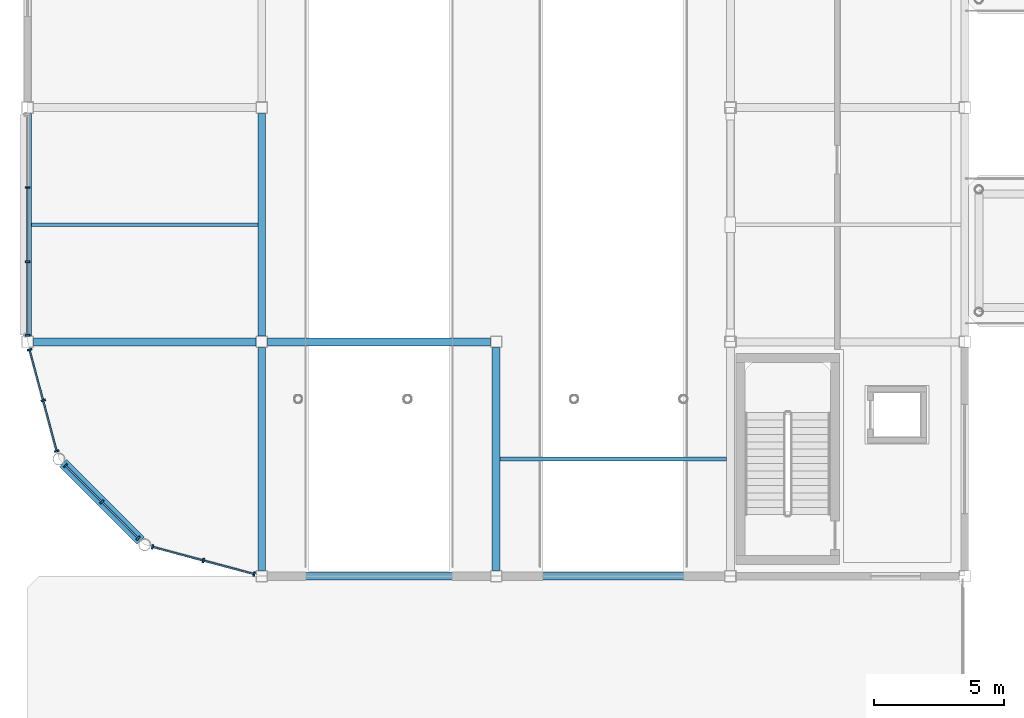
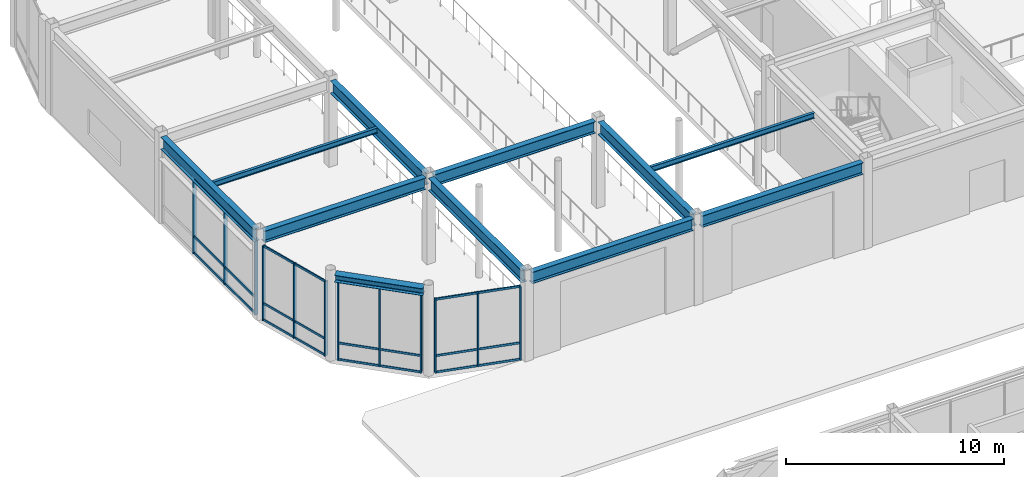
# One storey, part 38 of 123: 36 members, 11 beams, 4 elements without a shape of their own.
"""IFC4 building model written with IfcOpenShell, lengths in metres."""

from ifc_helpers import new_model, si_unit, direction, frame, origin, origin_2d, place, context, subcontext, project, spatial, rectangle, i_section, extrude, material, material_profile, profile_set, type_object, element, aggregate, save


model = new_model("IFC4")

# Units and contexts
model_context = context("Model", 3, precision=1e-05, world=origin(), true_north=direction((0.0, 1.0)))
body_context = subcontext(model_context, "Body", "Model", "MODEL_VIEW")
ifc_project = project(units=[si_unit("LENGTHUNIT", "METRE"), si_unit("AREAUNIT", "SQUARE_METRE"), si_unit("VOLUMEUNIT", "CUBIC_METRE"), si_unit("PLANEANGLEUNIT", "RADIAN"), si_unit("MASSUNIT", "GRAM", prefix="KILO")], contexts=[model_context])

# Site, building, storey
site_placement = place(None, origin())
site = spatial("IfcSite", under=ifc_project, at=site_placement, CompositionType="ELEMENT")
building_placement = place(site_placement, origin())
building = spatial("IfcBuilding", under=site, at=building_placement, Name="Suzunagisa Mobility Hub", CompositionType="ELEMENT")
storey_placement = place(building_placement, origin())
storey = spatial("IfcBuildingStorey", under=building, at=storey_placement, Name="L00", CompositionType="ELEMENT", Elevation=0.0)

# Curtain wall, members
ifc_material_1 = material(Name="Thermally Broken Anodized Aluminum and Low-E Glazing", Category="aluminium")
curtain_wall_type_1 = type_object("IfcCurtainWallType", Name="Unitised Curtain Wall CW-09 8500x4100", PredefinedType="USERDEFINED", material=ifc_material_1)
curtain_wall_1_placement = place(storey_placement, origin())
curtain_wall_1 = element("IfcCurtainWall", 1, at=curtain_wall_1_placement, inside=storey, type_object=curtain_wall_type_1, Name="L00 Unitised Curtain Wall CW-51", ObjectType="UNITISED CURTAIN WALL", PredefinedType="USERDEFINED")
ifc_material_2 = material(Name="Anodized Aluminum 6063-T6", Category="aluminium")
ifc_material_profile_1 = material_profile(ifc_material_2, rectangle(XDim=0.06494140625, YDim=0.139892578125, at=origin_2d()), Name="TRAN-65x140")
ifc_profile_set_1 = profile_set([ifc_material_profile_1], Name="Anodized Aluminum 6063-T6")
member_type_1 = type_object("IfcMemberType", Name="Curtain Wall Framing CM-01 TRAN-65x140", PredefinedType="USERDEFINED", material=ifc_profile_set_1)
member_1_placement = place(storey_placement, frame((0.0, 94.89453125, 0.032470703125), z_axis=(0.0, -1.0, 0.0), x_axis=(1.0, 0.0, 0.0)))
member_1 = element("IfcMember", 2, at=member_1_placement, type_object=member_type_1, Name="Curtain Wall Transom 51-T2.1", ObjectType="TRANSOM", PredefinedType="USERDEFINED", context=body_context, shape_type="SweptSolid", body=[
    extrude(rectangle(XDim=0.06494140625, YDim=0.139892578125, at=origin_2d()), origin(), (0.0, 0.0, 1.0), 2.7890625),
])
member_2_placement = place(storey_placement, frame((0.0, 94.89453125, 0.949951171875), z_axis=(0.0, -1.0, 0.0), x_axis=(1.0, 0.0, 0.0)))
member_2 = element("IfcMember", 3, at=member_2_placement, type_object=member_type_1, Name="Curtain Wall Transom 51-T2.2", ObjectType="TRANSOM", PredefinedType="USERDEFINED", context=body_context, shape_type="SweptSolid", body=[
    extrude(rectangle(XDim=0.06494140625, YDim=0.139892578125, at=origin_2d()), origin(), (0.0, 0.0, 1.0), 2.7890625),
])
member_3_placement = place(storey_placement, frame((0.0, 94.89453125, 4.107421875), z_axis=(0.0, -1.0, 0.0), x_axis=(1.0, 0.0, 0.0)))
member_3 = element("IfcMember", 4, at=member_3_placement, type_object=member_type_1, Name="Curtain Wall Transom 51-T2.3", ObjectType="TRANSOM", PredefinedType="USERDEFINED", context=body_context, shape_type="SweptSolid", body=[
    extrude(rectangle(XDim=0.06494140625, YDim=0.139892578125, at=origin_2d()), origin(), (0.0, 0.0, 1.0), 2.7890625),
])
member_4_placement = place(storey_placement, frame((0.0, 92.04443359375, 0.032470703125), z_axis=(0.0, -1.0, 0.0), x_axis=(1.0, 0.0, 0.0)))
member_4 = element("IfcMember", 5, at=member_4_placement, type_object=member_type_1, Name="Curtain Wall Transom 51-T3.1", ObjectType="TRANSOM", PredefinedType="USERDEFINED", context=body_context, shape_type="SweptSolid", body=[
    extrude(rectangle(XDim=0.06494140625, YDim=0.139892578125, at=origin_2d()), origin(), (0.0, 0.0, 1.0), 2.75634765625),
])
member_5_placement = place(storey_placement, frame((0.0, 92.04443359375, 0.949951171875), z_axis=(0.0, -1.0, 0.0), x_axis=(1.0, 0.0, 0.0)))
member_5 = element("IfcMember", 6, at=member_5_placement, type_object=member_type_1, Name="Curtain Wall Transom 51-T3.2", ObjectType="TRANSOM", PredefinedType="USERDEFINED", context=body_context, shape_type="SweptSolid", body=[
    extrude(rectangle(XDim=0.06494140625, YDim=0.139892578125, at=origin_2d()), origin(), (0.0, 0.0, 1.0), 2.75634765625),
])
member_6_placement = place(storey_placement, frame((0.0, 92.04443359375, 4.107421875), z_axis=(0.0, -1.0, 0.0), x_axis=(1.0, 0.0, 0.0)))
member_6 = element("IfcMember", 7, at=member_6_placement, type_object=member_type_1, Name="Curtain Wall Transom 51-T3.3", ObjectType="TRANSOM", PredefinedType="USERDEFINED", context=body_context, shape_type="SweptSolid", body=[
    extrude(rectangle(XDim=0.06494140625, YDim=0.139892578125, at=origin_2d()), origin(), (0.0, 0.0, 1.0), 2.75634765625),
])

curtain_wall_type_2 = type_object("IfcCurtainWallType", Name="Unitised Curtain Wall CW-04 4000x4200", PredefinedType="USERDEFINED", material=ifc_material_1)
curtain_wall_2_placement = place(storey_placement, origin())
curtain_wall_2 = element("IfcCurtainWall", 8, at=curtain_wall_2_placement, inside=storey, type_object=curtain_wall_type_2, Name="L00 Unitised Curtain Wall CW-44", ObjectType="UNITISED CURTAIN WALL", PredefinedType="USERDEFINED")
ifc_material_profile_2 = material_profile(ifc_material_2, rectangle(XDim=0.06005859375, YDim=0.1201171875, at=origin_2d()), Name="TRAN-60x120")
ifc_profile_set_2 = profile_set([ifc_material_profile_2], Name="Anodized Aluminum 6063-T6")
member_type_2 = type_object("IfcMemberType", Name="Curtain Wall Framing CM-02 TRAN-60x120", PredefinedType="USERDEFINED", material=ifc_profile_set_2)
member_7_placement = place(storey_placement, frame((0.087646484375, 88.6728515625, 0.030029296875), z_axis=(0.258842032736, -0.965919666478, 0.0), x_axis=(0.965919666478, 0.258842032736, 0.0)))
member_7 = element("IfcMember", 9, at=member_7_placement, type_object=member_type_2, Name="Curtain Wall Transom 44-T1.1", ObjectType="TRANSOM", PredefinedType="USERDEFINED", context=body_context, shape_type="SweptSolid", body=[
    extrude(rectangle(XDim=0.06005859375, YDim=0.1201171875, at=origin_2d()), origin(), (0.0, 0.0, 1.0), 1.9580078125),
])
member_8_placement = place(storey_placement, frame((0.087646484375, 88.6728515625, 0.949951171875), z_axis=(0.258842032736, -0.965919666478, 0.0), x_axis=(0.965919666478, 0.258842032736, 0.0)))
member_8 = element("IfcMember", 10, at=member_8_placement, type_object=member_type_2, Name="Curtain Wall Transom 44-T1.2", ObjectType="TRANSOM", PredefinedType="USERDEFINED", context=body_context, shape_type="SweptSolid", body=[
    extrude(rectangle(XDim=0.06005859375, YDim=0.1201171875, at=origin_2d()), origin(), (0.0, 0.0, 1.0), 1.9580078125),
])
member_9_placement = place(storey_placement, frame((0.087646484375, 88.6728515625, 4.159912109375), z_axis=(0.258842032736, -0.965919666478, 0.0), x_axis=(0.965919666478, 0.258842032736, 0.0)))
member_9 = element("IfcMember", 11, at=member_9_placement, type_object=member_type_2, Name="Curtain Wall Transom 44-T1.3", ObjectType="TRANSOM", PredefinedType="USERDEFINED", context=body_context, shape_type="SweptSolid", body=[
    extrude(rectangle(XDim=0.06005859375, YDim=0.1201171875, at=origin_2d()), origin(), (0.0, 0.0, 1.0), 1.9580078125),
])
member_10_placement = place(storey_placement, frame((0.610107421875, 86.72265625, 0.030029296875), z_axis=(0.258842032736, -0.965919666478, 0.0), x_axis=(0.965919666478, 0.258842032736, 0.0)))
member_10 = element("IfcMember", 12, at=member_10_placement, type_object=member_type_2, Name="Curtain Wall Transom 44-T2.1", ObjectType="TRANSOM", PredefinedType="USERDEFINED", context=body_context, shape_type="SweptSolid", body=[
    extrude(rectangle(XDim=0.06005859375, YDim=0.1201171875, at=origin_2d()), origin(), (0.0, 0.0, 1.0), 1.9580078125),
])
member_11_placement = place(storey_placement, frame((0.610107421875, 86.72265625, 0.949951171875), z_axis=(0.258842032736, -0.965919666478, 0.0), x_axis=(0.965919666478, 0.258842032736, 0.0)))
member_11 = element("IfcMember", 13, at=member_11_placement, type_object=member_type_2, Name="Curtain Wall Transom 44-T2.2", ObjectType="TRANSOM", PredefinedType="USERDEFINED", context=body_context, shape_type="SweptSolid", body=[
    extrude(rectangle(XDim=0.06005859375, YDim=0.1201171875, at=origin_2d()), origin(), (0.0, 0.0, 1.0), 1.9580078125),
])
member_12_placement = place(storey_placement, frame((0.610107421875, 86.72265625, 4.159912109375), z_axis=(0.258842032736, -0.965919666478, 0.0), x_axis=(0.965919666478, 0.258842032736, 0.0)))
member_12 = element("IfcMember", 14, at=member_12_placement, type_object=member_type_2, Name="Curtain Wall Transom 44-T2.3", ObjectType="TRANSOM", PredefinedType="USERDEFINED", context=body_context, shape_type="SweptSolid", body=[
    extrude(rectangle(XDim=0.06005859375, YDim=0.1201171875, at=origin_2d()), origin(), (0.0, 0.0, 1.0), 1.9580078125),
])

curtain_wall_type_3 = type_object("IfcCurtainWallType", Name="Unitised Curtain Wall CW-26 4000x4400", PredefinedType="USERDEFINED", material=ifc_material_1)
curtain_wall_3_placement = place(storey_placement, origin())
curtain_wall_3 = element("IfcCurtainWall", 15, at=curtain_wall_3_placement, inside=storey, type_object=curtain_wall_type_3, Name="L00 Unitised Curtain Wall CW-45", ObjectType="UNITISED CURTAIN WALL", PredefinedType="USERDEFINED")
member_13_placement = place(storey_placement, frame((1.47900390625, 84.226806640625, 0.030029296875), z_axis=(0.707106781187, -0.707106781187, 0.0), x_axis=(0.707106781187, 0.707106781187, 0.0)))
member_13 = element("IfcMember", 16, at=member_13_placement, type_object=member_type_2, Name="Curtain Wall Transom 45-T1.1", ObjectType="TRANSOM", PredefinedType="USERDEFINED", context=body_context, shape_type="SweptSolid", body=[
    extrude(rectangle(XDim=0.06005859375, YDim=0.1201171875, at=origin_2d()), origin(), (0.0, 0.0, 1.0), 1.912353515625),
])
member_14_placement = place(storey_placement, frame((1.47900390625, 84.226806640625, 0.949951171875), z_axis=(0.707106781187, -0.707106781187, 0.0), x_axis=(0.707106781187, 0.707106781187, 0.0)))
member_14 = element("IfcMember", 17, at=member_14_placement, type_object=member_type_2, Name="Curtain Wall Transom 45-T1.2", ObjectType="TRANSOM", PredefinedType="USERDEFINED", context=body_context, shape_type="SweptSolid", body=[
    extrude(rectangle(XDim=0.06005859375, YDim=0.1201171875, at=origin_2d()), origin(), (0.0, 0.0, 1.0), 1.912353515625),
])
member_15_placement = place(storey_placement, frame((1.47900390625, 84.226806640625, 4.409912109375), z_axis=(0.707106781187, -0.707106781187, 0.0), x_axis=(0.707106781187, 0.707106781187, 0.0)))
member_15 = element("IfcMember", 18, at=member_15_placement, type_object=member_type_2, Name="Curtain Wall Transom 45-T1.3", ObjectType="TRANSOM", PredefinedType="USERDEFINED", context=body_context, shape_type="SweptSolid", body=[
    extrude(rectangle(XDim=0.06005859375, YDim=0.1201171875, at=origin_2d()), origin(), (0.0, 0.0, 1.0), 1.912353515625),
])
member_16_placement = place(storey_placement, frame((2.87451171875, 82.831298828125, 0.030029296875), z_axis=(0.707106781187, -0.707106781187, 0.0), x_axis=(0.707106781187, 0.707106781187, 0.0)))
member_16 = element("IfcMember", 19, at=member_16_placement, type_object=member_type_2, Name="Curtain Wall Transom 45-T2.1", ObjectType="TRANSOM", PredefinedType="USERDEFINED", context=body_context, shape_type="SweptSolid", body=[
    extrude(rectangle(XDim=0.06005859375, YDim=0.1201171875, at=origin_2d()), origin(), (0.0, 0.0, 1.0), 1.912353515625),
])
member_17_placement = place(storey_placement, frame((2.87451171875, 82.831298828125, 0.949951171875), z_axis=(0.707106781187, -0.707106781187, 0.0), x_axis=(0.707106781187, 0.707106781187, 0.0)))
member_17 = element("IfcMember", 20, at=member_17_placement, type_object=member_type_2, Name="Curtain Wall Transom 45-T2.2", ObjectType="TRANSOM", PredefinedType="USERDEFINED", context=body_context, shape_type="SweptSolid", body=[
    extrude(rectangle(XDim=0.06005859375, YDim=0.1201171875, at=origin_2d()), origin(), (0.0, 0.0, 1.0), 1.912353515625),
])
member_18_placement = place(storey_placement, frame((2.87451171875, 82.831298828125, 4.409912109375), z_axis=(0.707106781187, -0.707106781187, 0.0), x_axis=(0.707106781187, 0.707106781187, 0.0)))
member_18 = element("IfcMember", 21, at=member_18_placement, type_object=member_type_2, Name="Curtain Wall Transom 45-T2.3", ObjectType="TRANSOM", PredefinedType="USERDEFINED", context=body_context, shape_type="SweptSolid", body=[
    extrude(rectangle(XDim=0.06005859375, YDim=0.1201171875, at=origin_2d()), origin(), (0.0, 0.0, 1.0), 1.912353515625),
])

curtain_wall_type_4 = type_object("IfcCurtainWallType", Name="Unitised Curtain Wall CW-40 4000x4100", PredefinedType="USERDEFINED", material=ifc_material_1)
curtain_wall_4_placement = place(storey_placement, origin())
curtain_wall_4 = element("IfcCurtainWall", 22, at=curtain_wall_4_placement, inside=storey, type_object=curtain_wall_type_4, Name="L00 Unitised Curtain Wall CW-46", ObjectType="UNITISED CURTAIN WALL", PredefinedType="USERDEFINED")
member_19_placement = place(storey_placement, frame((4.831298828125, 81.116943359375, 0.030029296875), z_axis=(0.965919666478, -0.258842032736, 0.0), x_axis=(0.258842032736, 0.965919666478, 0.0)))
member_19 = element("IfcMember", 23, at=member_19_placement, type_object=member_type_2, Name="Curtain Wall Transom 46-T1.1", ObjectType="TRANSOM", PredefinedType="USERDEFINED", context=body_context, shape_type="SweptSolid", body=[
    extrude(rectangle(XDim=0.06005859375, YDim=0.1201171875, at=origin_2d()), origin(), (0.0, 0.0, 1.0), 1.9580078125),
])
member_20_placement = place(storey_placement, frame((4.831298828125, 81.116943359375, 0.949951171875), z_axis=(0.965919666478, -0.258842032736, 0.0), x_axis=(0.258842032736, 0.965919666478, 0.0)))
member_20 = element("IfcMember", 24, at=member_20_placement, type_object=member_type_2, Name="Curtain Wall Transom 46-T1.2", ObjectType="TRANSOM", PredefinedType="USERDEFINED", context=body_context, shape_type="SweptSolid", body=[
    extrude(rectangle(XDim=0.06005859375, YDim=0.1201171875, at=origin_2d()), origin(), (0.0, 0.0, 1.0), 1.9580078125),
])
member_21_placement = place(storey_placement, frame((4.831298828125, 81.116943359375, 4.110107421875), z_axis=(0.965919666478, -0.258842032736, 0.0), x_axis=(0.258842032736, 0.965919666478, 0.0)))
member_21 = element("IfcMember", 25, at=member_21_placement, type_object=member_type_2, Name="Curtain Wall Transom 46-T1.3", ObjectType="TRANSOM", PredefinedType="USERDEFINED", context=body_context, shape_type="SweptSolid", body=[
    extrude(rectangle(XDim=0.06005859375, YDim=0.1201171875, at=origin_2d()), origin(), (0.0, 0.0, 1.0), 1.9580078125),
])
member_22_placement = place(storey_placement, frame((6.781494140625, 80.594482421875, 0.030029296875), z_axis=(0.965919666478, -0.258842032736, 0.0), x_axis=(0.258842032736, 0.965919666478, 0.0)))
member_22 = element("IfcMember", 26, at=member_22_placement, type_object=member_type_2, Name="Curtain Wall Transom 46-T2.1", ObjectType="TRANSOM", PredefinedType="USERDEFINED", context=body_context, shape_type="SweptSolid", body=[
    extrude(rectangle(XDim=0.06005859375, YDim=0.1201171875, at=origin_2d()), origin(), (0.0, 0.0, 1.0), 1.9580078125),
])
member_23_placement = place(storey_placement, frame((6.781494140625, 80.594482421875, 0.949951171875), z_axis=(0.965919666478, -0.258842032736, 0.0), x_axis=(0.258842032736, 0.965919666478, 0.0)))
member_23 = element("IfcMember", 27, at=member_23_placement, type_object=member_type_2, Name="Curtain Wall Transom 46-T2.2", ObjectType="TRANSOM", PredefinedType="USERDEFINED", context=body_context, shape_type="SweptSolid", body=[
    extrude(rectangle(XDim=0.06005859375, YDim=0.1201171875, at=origin_2d()), origin(), (0.0, 0.0, 1.0), 1.9580078125),
])
member_24_placement = place(storey_placement, frame((6.781494140625, 80.594482421875, 4.110107421875), z_axis=(0.965919666478, -0.258842032736, 0.0), x_axis=(0.258842032736, 0.965919666478, 0.0)))
member_24 = element("IfcMember", 28, at=member_24_placement, type_object=member_type_2, Name="Curtain Wall Transom 46-T2.3", ObjectType="TRANSOM", PredefinedType="USERDEFINED", context=body_context, shape_type="SweptSolid", body=[
    extrude(rectangle(XDim=0.06005859375, YDim=0.1201171875, at=origin_2d()), origin(), (0.0, 0.0, 1.0), 1.9580078125),
])

# Member
ifc_material_profile_3 = material_profile(ifc_material_2, rectangle(XDim=0.06494140625, YDim=0.179931640625, at=origin_2d()), Name="MULL-65x180")
ifc_profile_set_3 = profile_set([ifc_material_profile_3], Name="Anodized Aluminum 6063-T6")
member_type_3 = type_object("IfcMemberType", Name="Curtain Wall Framing CM-04 MULL-65x180", PredefinedType="MULLION", material=ifc_profile_set_3)
member_25_placement = place(storey_placement, frame((0.07958984375, 88.702392578125, 0.0), z_axis=(0.0, 0.0, 1.0), x_axis=(0.258821357779, -0.965925206606, 0.0)))
member_25 = element("IfcMember", 29, at=member_25_placement, type_object=member_type_3, Name="Curtain Wall Mullion 44-M1", PredefinedType="MULLION", context=body_context, shape_type="SweptSolid", body=[
    extrude(rectangle(XDim=0.06494140625, YDim=0.179931640625, at=origin_2d()), origin(), (0.0, 0.0, 1.0), 4.18994140625),
])

member_26_placement = place(storey_placement, frame((0.602294921875, 86.752197265625, 0.0), z_axis=(0.0, 0.0, 1.0), x_axis=(0.258821357779, -0.965925206606, 0.0)))
member_26 = element("IfcMember", 30, at=member_26_placement, type_object=member_type_3, Name="Curtain Wall Mullion 44-M2", PredefinedType="MULLION", context=body_context, shape_type="SweptSolid", body=[
    extrude(rectangle(XDim=0.06494140625, YDim=0.179931640625, at=origin_2d()), origin(), (0.0, 0.0, 1.0), 4.18994140625),
])

member_27_placement = place(storey_placement, frame((1.125, 84.8017578125, 0.0), z_axis=(0.0, 0.0, 1.0), x_axis=(0.258821357779, -0.965925206606, 0.0)))
member_27 = element("IfcMember", 31, at=member_27_placement, type_object=member_type_3, Name="Curtain Wall Mullion 44-M3", PredefinedType="MULLION", context=body_context, shape_type="SweptSolid", body=[
    extrude(rectangle(XDim=0.06494140625, YDim=0.179931640625, at=origin_2d()), origin(), (0.0, 0.0, 1.0), 4.18994140625),
])

aggregate(curtain_wall_2, [member_25, member_26, member_27, member_7, member_8, member_9, member_10, member_11, member_12])

member_28_placement = place(storey_placement, frame((1.45751953125, 84.248291015625, 0.0), z_axis=(0.0, 0.0, 1.0), x_axis=(0.707106781187, -0.707106781187, 0.0)))
member_28 = element("IfcMember", 32, at=member_28_placement, type_object=member_type_3, Name="Curtain Wall Mullion 45-M1", PredefinedType="MULLION", context=body_context, shape_type="SweptSolid", body=[
    extrude(rectangle(XDim=0.06494140625, YDim=0.179931640625, at=origin_2d()), origin(), (0.0, 0.0, 1.0), 4.43994140625),
])

member_29_placement = place(storey_placement, frame((2.852783203125, 82.852783203125, 0.0), z_axis=(0.0, 0.0, 1.0), x_axis=(0.707106781187, -0.707106781187, 0.0)))
member_29 = element("IfcMember", 33, at=member_29_placement, type_object=member_type_3, Name="Curtain Wall Mullion 45-M2", PredefinedType="MULLION", context=body_context, shape_type="SweptSolid", body=[
    extrude(rectangle(XDim=0.06494140625, YDim=0.179931640625, at=origin_2d()), origin(), (0.0, 0.0, 1.0), 4.43994140625),
])

member_30_placement = place(storey_placement, frame((4.248291015625, 81.45751953125, 0.0), z_axis=(0.0, 0.0, 1.0), x_axis=(0.707106781187, -0.707106781187, 0.0)))
member_30 = element("IfcMember", 34, at=member_30_placement, type_object=member_type_3, Name="Curtain Wall Mullion 45-M3", PredefinedType="MULLION", context=body_context, shape_type="SweptSolid", body=[
    extrude(rectangle(XDim=0.06494140625, YDim=0.179931640625, at=origin_2d()), origin(), (0.0, 0.0, 1.0), 4.43994140625),
])

aggregate(curtain_wall_3, [member_28, member_29, member_30, member_13, member_14, member_15, member_16, member_17, member_18])

member_31_placement = place(storey_placement, frame((4.8017578125, 81.125, 0.0), z_axis=(0.0, 0.0, 1.0), x_axis=(0.965925206606, -0.258821357779, 0.0)))
member_31 = element("IfcMember", 35, at=member_31_placement, type_object=member_type_3, Name="Curtain Wall Mullion 46-M1", PredefinedType="MULLION", context=body_context, shape_type="SweptSolid", body=[
    extrude(rectangle(XDim=0.06494140625, YDim=0.179931640625, at=origin_2d()), origin(), (0.0, 0.0, 1.0), 4.139892578125),
])

member_32_placement = place(storey_placement, frame((6.752197265625, 80.602294921875, 0.0), z_axis=(0.0, 0.0, 1.0), x_axis=(0.965925206606, -0.258821357779, 0.0)))
member_32 = element("IfcMember", 36, at=member_32_placement, type_object=member_type_3, Name="Curtain Wall Mullion 46-M2", PredefinedType="MULLION", context=body_context, shape_type="SweptSolid", body=[
    extrude(rectangle(XDim=0.06494140625, YDim=0.179931640625, at=origin_2d()), origin(), (0.0, 0.0, 1.0), 4.139892578125),
])

member_33_placement = place(storey_placement, frame((8.702392578125, 80.07958984375, 0.0), z_axis=(0.0, 0.0, 1.0), x_axis=(0.965925206606, -0.258821357779, 0.0)))
member_33 = element("IfcMember", 37, at=member_33_placement, type_object=member_type_3, Name="Curtain Wall Mullion 46-M3", PredefinedType="MULLION", context=body_context, shape_type="SweptSolid", body=[
    extrude(rectangle(XDim=0.06494140625, YDim=0.179931640625, at=origin_2d()), origin(), (0.0, 0.0, 1.0), 4.139892578125),
])

aggregate(curtain_wall_4, [member_31, member_32, member_33, member_19, member_20, member_21, member_22, member_23, member_24])

member_34_placement = place(storey_placement, frame((0.0, 94.925048828125, 0.0), z_axis=(0.0, 0.0, 1.0), x_axis=(0.0, -1.0, 0.0)))
member_34 = element("IfcMember", 38, at=member_34_placement, type_object=member_type_3, Name="Curtain Wall Mullion 51-M2", PredefinedType="MULLION", context=body_context, shape_type="SweptSolid", body=[
    extrude(rectangle(XDim=0.06494140625, YDim=0.179931640625, at=origin_2d()), origin(), (0.0, 0.0, 1.0), 4.139892578125),
])

member_35_placement = place(storey_placement, frame((0.0, 92.074951171875, 0.0), z_axis=(0.0, 0.0, 1.0), x_axis=(0.0, -1.0, 0.0)))
member_35 = element("IfcMember", 39, at=member_35_placement, type_object=member_type_3, Name="Curtain Wall Mullion 51-M3", PredefinedType="MULLION", context=body_context, shape_type="SweptSolid", body=[
    extrude(rectangle(XDim=0.06494140625, YDim=0.179931640625, at=origin_2d()), origin(), (0.0, 0.0, 1.0), 4.139892578125),
])

member_36_placement = place(storey_placement, frame((0.0, 89.257568359375, 0.0), z_axis=(0.0, 0.0, 1.0), x_axis=(0.0, -1.0, 0.0)))
member_36 = element("IfcMember", 40, at=member_36_placement, type_object=member_type_3, Name="Curtain Wall Mullion 51-M4", PredefinedType="MULLION", context=body_context, shape_type="SweptSolid", body=[
    extrude(rectangle(XDim=0.06494140625, YDim=0.179931640625, at=origin_2d()), origin(), (0.0, 0.0, 1.0), 4.139892578125),
])

aggregate(curtain_wall_1, [member_34, member_35, member_36, member_1, member_2, member_3, member_4, member_5, member_6])

# Beams
ifc_material_3 = material(Name="Steel SN490B", Category="steel")
ifc_material_profile_4 = material_profile(ifc_material_3, i_section(OverallWidth=0.300048828125, OverallDepth=0.64990234375, WebThickness=0.012939453125, FlangeThickness=0.02197265625, FilletRadius=0.01611328125, at=origin_2d()), Name="H-650x300x13x22")
ifc_profile_set_4 = profile_set([ifc_material_profile_4], Name="Steel SN490B")
beam_type_1 = type_object("IfcBeamType", Name="Steel Beam BM-10 H-650x300x13x22", PredefinedType="BEAM", material=ifc_profile_set_4)
for number, where, z_axis, x_axis, name in (
    (41, (9.220947265625, 80.0, 4.514892578125), (1.0, 0.0, 0.0), (0.0, 1.0, 0.0), "L00 Primary Girder GX-451"),
    (42, (18.220947265625, 80.0, 4.514892578125), (1.0, 0.0, 0.0), (0.0, 1.0, 0.0), "L00 Primary Girder GX-452"),
    (43, (0.220947265625, 89.0, 4.514892578125), (1.0, 0.0, 0.0), (0.0, 1.0, 0.0), "L00 Primary Girder GX-454"),
    (44, (9.220947265625, 89.0, 4.514892578125), (1.0, 0.0, 0.0), (0.0, 1.0, 0.0), "L00 Primary Girder GX-455"),
):
    element("IfcBeam", number, at=place(storey_placement, frame(where, z_axis=z_axis, x_axis=x_axis)), inside=storey, type_object=beam_type_1, Name=name, PredefinedType="BEAM", context=body_context, shape_type="SweptSolid", body=[
        extrude(i_section(OverallWidth=0.300048828125, OverallDepth=0.64990234375, WebThickness=0.012939453125, FlangeThickness=0.02197265625, FilletRadius=0.01611328125, at=origin_2d()), origin(), (0.0, 0.0, 1.0), 8.55810546875),
    ])
ifc_material_profile_5 = material_profile(ifc_material_3, i_section(OverallWidth=0.300048828125, OverallDepth=0.699951171875, WebThickness=0.012939453125, FlangeThickness=0.02392578125, FilletRadius=0.01806640625, at=origin_2d()), Name="H-700x300x13x24")
ifc_profile_set_5 = profile_set([ifc_material_profile_5], Name="Steel SN490B")
beam_type_2 = type_object("IfcBeamType", Name="Steel Beam BM-11 H-700x300x13x24", PredefinedType="BEAM", material=ifc_profile_set_5)
for number, where, z_axis, x_axis, name in (
    (45, (0.0, 89.220947265625, 4.489990234375), (0.0, 1.0, 0.0), (-1.0, 0.0, 0.0), "L00 Primary Girder GY-464"),
    (46, (9.0, 80.220947265625, 4.489990234375), (0.0, 1.0, 0.0), (-1.0, 0.0, 0.0), "L00 Primary Girder GY-466"),
    (47, (9.0, 89.220947265625, 4.489990234375), (0.0, 1.0, 0.0), (-1.0, 0.0, 0.0), "L00 Primary Girder GY-467"),
    (48, (18.0, 80.220947265625, 4.489990234375), (0.0, 1.0, 0.0), (-1.0, 0.0, 0.0), "L00 Primary Girder GY-470"),
):
    element("IfcBeam", number, at=place(storey_placement, frame(where, z_axis=z_axis, x_axis=x_axis)), inside=storey, type_object=beam_type_2, Name=name, PredefinedType="BEAM", context=body_context, shape_type="SweptSolid", body=[
        extrude(i_section(OverallWidth=0.300048828125, OverallDepth=0.699951171875, WebThickness=0.012939453125, FlangeThickness=0.02392578125, FilletRadius=0.01806640625, at=origin_2d()), origin(), (0.0, 0.0, 1.0), 8.55810546875),
    ])
ifc_material_profile_6 = material_profile(ifc_material_3, i_section(OverallWidth=0.39990234375, OverallDepth=0.39990234375, WebThickness=0.012939453125, FlangeThickness=0.02099609375, FilletRadius=0.01611328125, at=origin_2d()), Name="H-400x400x13x21")
ifc_profile_set_6 = profile_set([ifc_material_profile_6], Name="Steel SN490B")
beam_type_3 = type_object("IfcBeamType", Name="Steel Beam BM-12 H-400x400x13x21", PredefinedType="SPANDREL", material=ifc_profile_set_6)
beam_placement = place(storey_placement, frame((1.367431640625, 84.33837890625, 4.639892578125), z_axis=(0.707106781187, -0.707106781187, 0.0), x_axis=(0.707106781187, 0.707106781187, 0.0)))
element("IfcBeam", 49, at=beam_placement, inside=storey, type_object=beam_type_3, Name="L00 Streamline Prow Spandrel 479", PredefinedType="SPANDREL", context=body_context, shape_type="SweptSolid", body=[
    extrude(i_section(OverallWidth=0.39990234375, OverallDepth=0.39990234375, WebThickness=0.012939453125, FlangeThickness=0.02099609375, FilletRadius=0.01611328125, at=origin_2d()), origin(), (0.0, 0.0, 1.0), 4.20166015625),
])
ifc_material_4 = material(Name="Steel SN400B", Category="steel")
ifc_material_profile_7 = material_profile(ifc_material_4, i_section(OverallWidth=0.14990234375, OverallDepth=0.300048828125, WebThickness=0.006591796875, FlangeThickness=0.009033203125, FilletRadius=0.008056640625, at=origin_2d()), Name="H-300x150x6.5x9")
ifc_profile_set_7 = profile_set([ifc_material_profile_7], Name="Steel SN400B")
beam_type_4 = type_object("IfcBeamType", Name="Steel Beam BM-24 H-300x150x6.5x9", PredefinedType="JOIST", material=ifc_profile_set_7)
for number, where, z_axis, x_axis, name in (
    (50, (0.14990234375, 93.5, 4.68994140625), (1.0, 0.0, 0.0), (0.0, 1.0, 0.0), "L00 Composite Floor Joist J-481"),
    (51, (18.14990234375, 84.5, 4.68994140625), (1.0, 0.0, 0.0), (0.0, 1.0, 0.0), "L00 Composite Floor Joist J-483"),
):
    element("IfcBeam", number, at=place(storey_placement, frame(where, z_axis=z_axis, x_axis=x_axis)), inside=storey, type_object=beam_type_4, Name=name, PredefinedType="JOIST", context=body_context, shape_type="SweptSolid", body=[
        extrude(i_section(OverallWidth=0.14990234375, OverallDepth=0.300048828125, WebThickness=0.006591796875, FlangeThickness=0.009033203125, FilletRadius=0.008056640625, at=origin_2d()), origin(), (0.0, 0.0, 1.0), 8.7001953125),
    ])

save(model, "model.ifc")
